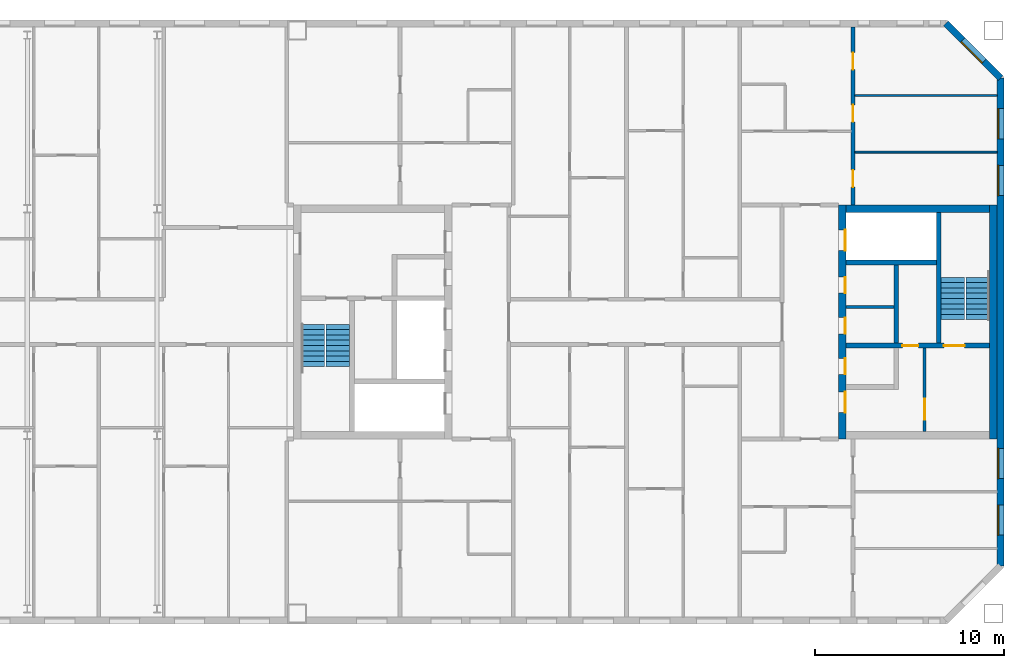
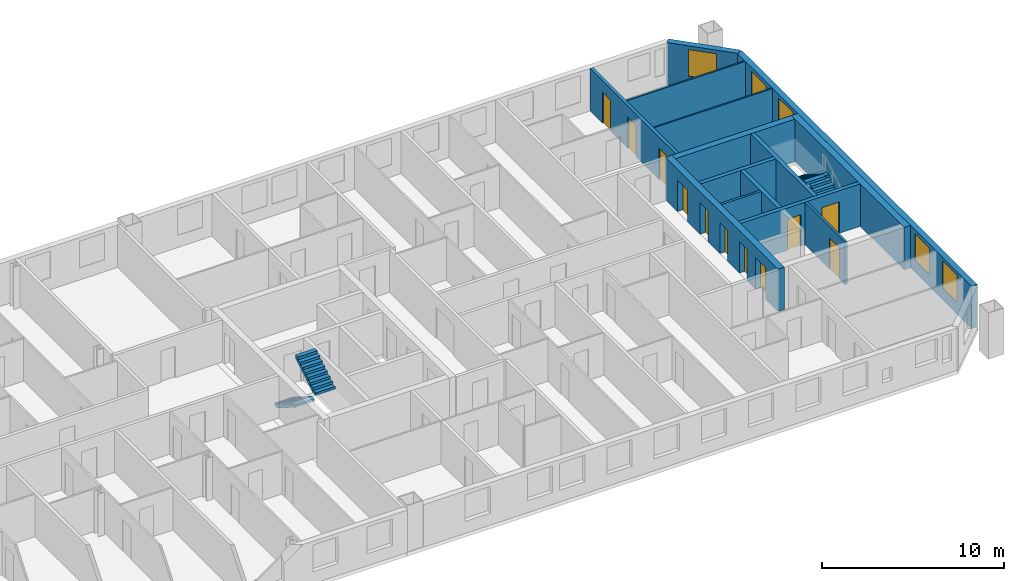
# One storey, part 17 of 19: 14 walls, 11 doors, 5 windows, 4 stair flights, 16 openings, 2 elements without a shape of their own.
"""IFC4 building model written with IfcOpenShell, lengths in metres."""

from ifc_helpers import new_model, si_unit, direction, frame, frame_2d, origin, place, context, subcontext, project, spatial, polyline, rectangle, outline, extrude, material, layer, layer_set, type_object, element, fill, aggregate, save


model = new_model("IFC4")

# Units and contexts
model_context = context("Model", 3, precision=1e-05, world=origin(), true_north=direction((0.0, 1.0)))
body_context = subcontext(model_context, "Body", "Model", "MODEL_VIEW")
ifc_project = project(units=[si_unit("LENGTHUNIT", "METRE"), si_unit("AREAUNIT", "SQUARE_METRE"), si_unit("VOLUMEUNIT", "CUBIC_METRE"), si_unit("PLANEANGLEUNIT", "RADIAN"), si_unit("MASSUNIT", "GRAM", prefix="KILO")], contexts=[model_context])

# Site, building, storey
site_placement = place(None, origin())
site = spatial("IfcSite", under=ifc_project, at=site_placement, CompositionType="ELEMENT")
building_placement = place(site_placement, origin())
building = spatial("IfcBuilding", under=site, at=building_placement, Name="Tuart Gate Housing", CompositionType="ELEMENT")
storey_placement = place(building_placement, frame((0.0, 0.0, 212.10009765625)))
storey = spatial("IfcBuildingStorey", under=building, at=storey_placement, Name="L60", CompositionType="ELEMENT", Elevation=212.10009765625)

# Wall, openings, windows
ifc_material_1 = material(Name="Brick", Category="masonry")
ifc_layer_1 = layer(ifc_material_1, 0.360107421875)
ifc_layer_set_1 = layer_set([ifc_layer_1], Name="Brick pier and spandrel wall 360")
wall_type_1 = type_object("IfcWallType", Name="Brick pier and spandrel wall 360", PredefinedType="STANDARD", material=ifc_layer_set_1)
wall_1_placement = place(storey_placement, frame((168.820068359375, 57.07470703125, 0.0), z_axis=(0.0, 0.0, 1.0), x_axis=(0.0, 1.0, 0.0)))
wall_1 = element("IfcWall", 1, at=wall_1_placement, inside=storey, type_object=wall_type_1, Name="External wall BLK-E L60", PredefinedType="STANDARD", context=body_context, shape_type="SweptSolid", body=[
    extrude(rectangle(XDim=25.850830078125, YDim=0.360107421875, at=frame_2d((12.92529296875, 0.0))), origin(), (0.0, 0.0, 1.0), 2.849853515625),
])
opening_1_placement = place(wall_1_placement, frame((1.62548828125, 0.0, 0.800048828125)))
opening_1 = element("IfcOpeningElement", 2, at=opening_1_placement, cuts=wall_1, Name="Opening W1", PredefinedType="OPENING", context=body_context, shape_type="SweptSolid", body=[
    extrude(rectangle(XDim=1.60009765625, YDim=1.800048828125, at=frame_2d((0.800048828125, 0.89990234375))), frame((0.0, 0.18994140625, 0.0), z_axis=(0.0, -1.0, 0.0), x_axis=(1.0, 0.0, 0.0)), (0.0, 0.0, 1.0), 0.380126953125),
])
opening_2_placement = place(wall_1_placement, frame((4.62548828125, 0.0, 0.800048828125)))
opening_2 = element("IfcOpeningElement", 3, at=opening_2_placement, cuts=wall_1, Name="Opening W1", PredefinedType="OPENING", context=body_context, shape_type="SweptSolid", body=[
    extrude(rectangle(XDim=1.60009765625, YDim=1.800048828125, at=frame_2d((0.800048828125, 0.89990234375))), frame((0.0, 0.18994140625, 0.0), z_axis=(0.0, -1.0, 0.0), x_axis=(1.0, 0.0, 0.0)), (0.0, 0.0, 1.0), 0.380126953125),
])
opening_3_placement = place(wall_1_placement, frame((19.62548828125, 0.0, 0.800048828125)))
opening_3 = element("IfcOpeningElement", 4, at=opening_3_placement, cuts=wall_1, Name="Opening W1", PredefinedType="OPENING", context=body_context, shape_type="SweptSolid", body=[
    extrude(rectangle(XDim=1.60009765625, YDim=1.800048828125, at=frame_2d((0.800048828125, 0.89990234375))), frame((0.0, 0.18994140625, 0.0), z_axis=(0.0, -1.0, 0.0), x_axis=(1.0, 0.0, 0.0)), (0.0, 0.0, 1.0), 0.380126953125),
])
opening_4_placement = place(wall_1_placement, frame((22.62548828125, 0.0, 0.800048828125)))
opening_4 = element("IfcOpeningElement", 5, at=opening_4_placement, cuts=wall_1, Name="Opening W1", PredefinedType="OPENING", context=body_context, shape_type="SweptSolid", body=[
    extrude(rectangle(XDim=1.60009765625, YDim=1.800048828125, at=frame_2d((0.800048828125, 0.89990234375))), frame((0.0, 0.18994140625, 0.0), z_axis=(0.0, -1.0, 0.0), x_axis=(1.0, 0.0, 0.0)), (0.0, 0.0, 1.0), 0.380126953125),
])
ifc_material_2 = material(Name="Aluminium frame with clear glass", Category="aluminium")
window_type = type_object("IfcWindowType", Name="Punched window 1600 x 1800", PartitioningType="SINGLE_PANEL", PredefinedType="WINDOW", material=ifc_material_2)
window_1_placement = place(opening_1_placement, origin())
window_1 = element("IfcWindow", 6, at=window_1_placement, inside=storey, type_object=window_type, Name="Window W1", OverallHeight=1.800048828125, OverallWidth=1.60009765625, PartitioningType="SINGLE_PANEL", PredefinedType="WINDOW", context=body_context, shape_type="SweptSolid", body=[
    extrude(rectangle(XDim=1.60009765625, YDim=1.800048828125, at=frame_2d((0.800048828125, 0.89990234375))), frame((0.0, 0.150146484375, 0.0), z_axis=(0.0, -1.0, 0.0), x_axis=(1.0, 0.0, 0.0)), (0.0, 0.0, 1.0), 0.06005859375),
])
fill(opening_1, window_1)
window_2_placement = place(opening_2_placement, origin())
window_2 = element("IfcWindow", 7, at=window_2_placement, inside=storey, type_object=window_type, Name="Window W1", OverallHeight=1.800048828125, OverallWidth=1.60009765625, PartitioningType="SINGLE_PANEL", PredefinedType="WINDOW", context=body_context, shape_type="SweptSolid", body=[
    extrude(rectangle(XDim=1.60009765625, YDim=1.800048828125, at=frame_2d((0.800048828125, 0.89990234375))), frame((0.0, 0.150146484375, 0.0), z_axis=(0.0, -1.0, 0.0), x_axis=(1.0, 0.0, 0.0)), (0.0, 0.0, 1.0), 0.06005859375),
])
fill(opening_2, window_2)
window_3_placement = place(opening_3_placement, origin())
window_3 = element("IfcWindow", 8, at=window_3_placement, inside=storey, type_object=window_type, Name="Window W1", OverallHeight=1.800048828125, OverallWidth=1.60009765625, PartitioningType="SINGLE_PANEL", PredefinedType="WINDOW", context=body_context, shape_type="SweptSolid", body=[
    extrude(rectangle(XDim=1.60009765625, YDim=1.800048828125, at=frame_2d((0.800048828125, 0.89990234375))), frame((0.0, 0.150146484375, 0.0), z_axis=(0.0, -1.0, 0.0), x_axis=(1.0, 0.0, 0.0)), (0.0, 0.0, 1.0), 0.06005859375),
])
fill(opening_3, window_3)
window_4_placement = place(opening_4_placement, origin())
window_4 = element("IfcWindow", 9, at=window_4_placement, inside=storey, type_object=window_type, Name="Window W1", OverallHeight=1.800048828125, OverallWidth=1.60009765625, PartitioningType="SINGLE_PANEL", PredefinedType="WINDOW", context=body_context, shape_type="SweptSolid", body=[
    extrude(rectangle(XDim=1.60009765625, YDim=1.800048828125, at=frame_2d((0.800048828125, 0.89990234375))), frame((0.0, 0.150146484375, 0.0), z_axis=(0.0, -1.0, 0.0), x_axis=(1.0, 0.0, 0.0)), (0.0, 0.0, 1.0), 0.06005859375),
])
fill(opening_4, window_4)

# Wall, opening, window
wall_2_placement = place(storey_placement, frame((168.820068359375, 82.92529296875, 0.0), z_axis=(0.0, 0.0, 1.0), x_axis=(-0.707106781187, 0.707106781187, 0.0)))
wall_2 = element("IfcWall", 10, at=wall_2_placement, inside=storey, type_object=wall_type_1, Name="External wall BLK-NE L60", PredefinedType="STANDARD", context=body_context, shape_type="SweptSolid", body=[
    extrude(rectangle(XDim=4.09375, YDim=0.360107421875, at=frame_2d((2.046875, 0.0))), origin(), (0.0, 0.0, 1.0), 2.849853515625),
])
opening_5_placement = place(wall_2_placement, frame((1.2470703125, 0.0, 0.800048828125)))
opening_5 = element("IfcOpeningElement", 11, at=opening_5_placement, cuts=wall_2, Name="Opening W1", PredefinedType="OPENING", context=body_context, shape_type="SweptSolid", body=[
    extrude(rectangle(XDim=1.60009765625, YDim=1.800048828125, at=frame_2d((0.800048828125, 0.89990234375))), frame((0.0, 0.18994140625, 0.0), z_axis=(0.0, -1.0, 0.0), x_axis=(1.0, 0.0, 0.0)), (0.0, 0.0, 1.0), 0.380126953125),
])
window_5_placement = place(opening_5_placement, origin())
window_5 = element("IfcWindow", 12, at=window_5_placement, inside=storey, type_object=window_type, Name="Window W1", OverallHeight=1.800048828125, OverallWidth=1.60009765625, PartitioningType="SINGLE_PANEL", PredefinedType="WINDOW", context=body_context, shape_type="SweptSolid", body=[
    extrude(rectangle(XDim=1.60009765625, YDim=1.800048828125, at=frame_2d((0.800048828125, 0.89990234375))), frame((0.0, 0.150146484375, 0.0), z_axis=(0.0, -1.0, 0.0), x_axis=(1.0, 0.0, 0.0)), (0.0, 0.0, 1.0), 0.06005859375),
])
fill(opening_5, window_5)

# Wall
ifc_material_3 = material(Name="Plasterboard partition")
ifc_layer_2 = layer(ifc_material_3, 0.14990234375)
ifc_layer_set_2 = layer_set([ifc_layer_2], Name="Core partition 150")
wall_type_2 = type_object("IfcWallType", Name="Core partition 150", PredefinedType="PARTITIONING", material=ifc_layer_set_2)
wall_3_placement = place(storey_placement, frame((160.639892578125, 70.800048828125, 0.0), z_axis=(0.0, 0.0, 1.0), x_axis=(1.0, 0.0, 0.0)))
element("IfcWall", 13, at=wall_3_placement, inside=storey, type_object=wall_type_2, Name="Core partition BK.2", PredefinedType="PARTITIONING", context=body_context, shape_type="SweptSolid", body=[
    extrude(rectangle(XDim=2.525146484375, YDim=0.14990234375, at=frame_2d((1.2626953125, 0.0))), origin(), (0.0, 0.0, 1.0), 2.849853515625),
])

# Wall, opening, door
wall_4_placement = place(storey_placement, frame((164.7900390625, 68.625, 0.0), z_axis=(0.0, 0.0, 1.0), x_axis=(0.0, -1.0, 0.0)))
wall_4 = element("IfcWall", 14, at=wall_4_placement, inside=storey, type_object=wall_type_2, Name="Core partition BK.7", PredefinedType="PARTITIONING", context=body_context, shape_type="SweptSolid", body=[
    extrude(rectangle(XDim=4.425048828125, YDim=0.14990234375, at=frame_2d((2.21240234375, 0.0))), origin(), (0.0, 0.0, 1.0), 2.849853515625),
])
opening_6_placement = place(wall_4_placement, frame((2.699951171875, 0.0, 0.0)))
opening_6 = element("IfcOpeningElement", 15, at=opening_6_placement, cuts=wall_4, Name="Opening D2258", PredefinedType="OPENING", context=body_context, shape_type="SweptSolid", body=[
    extrude(rectangle(XDim=1.10009765625, YDim=2.10009765625, at=frame_2d((0.550048828125, 1.050048828125))), frame((0.0, 0.0849609375, 0.0), z_axis=(0.0, -1.0, 0.0), x_axis=(1.0, 0.0, 0.0)), (0.0, 0.0, 1.0), 0.169921875),
])
ifc_material_4 = material(Name="Steel fire door", Category="steel")
door_type_1 = type_object("IfcDoorType", Name="Lobby door 1100 x 2100 RH", OperationType="SINGLE_SWING_RIGHT", PredefinedType="DOOR", material=ifc_material_4)
door_1_placement = place(opening_6_placement, origin())
door_1 = element("IfcDoor", 16, at=door_1_placement, inside=storey, type_object=door_type_1, Name="Smoke lobby door BK.KD", OperationType="SINGLE_SWING_RIGHT", OverallHeight=2.10009765625, OverallWidth=1.10009765625, PredefinedType="DOOR", context=body_context, shape_type="SweptSolid", body=[
    extrude(rectangle(XDim=1.10009765625, YDim=2.10009765625, at=frame_2d((0.550048828125, 1.050048828125))), frame((0.0, 0.02490234375, 0.0), z_axis=(0.0, -1.0, 0.0), x_axis=(1.0, 0.0, 0.0)), (0.0, 0.0, 1.0), 0.050048828125),
])
fill(opening_6, door_1)

# Wall
ifc_material_5 = material(Name="Concrete C40", Category="concrete")
ifc_layer_3 = layer(ifc_material_5, 0.25)
ifc_layer_set_3 = layer_set([ifc_layer_3], Name="Core wall 250 C40")
wall_type_3 = type_object("IfcWallType", Name="Core wall 250 C40", PredefinedType="SHEAR", material=ifc_layer_set_3)
wall_5_placement = place(storey_placement, frame((160.639892578125, 73.14990234375, 0.0), z_axis=(0.0, 0.0, 1.0), x_axis=(1.0, 0.0, 0.0)))
element("IfcWall", 17, at=wall_5_placement, inside=storey, type_object=wall_type_3, Name="Core wall BK.1", PredefinedType="SHEAR", context=body_context, shape_type="SweptSolid", body=[
    extrude(rectangle(XDim=4.775146484375, YDim=0.25, at=frame_2d((2.3876953125, 0.0))), origin(), (0.0, 0.0, 1.0), 2.849853515625),
])

# Wall, openings, doors
wall_6_placement = place(storey_placement, frame((160.639892578125, 68.75, 0.0), z_axis=(0.0, 0.0, 1.0), x_axis=(1.0, 0.0, 0.0)))
wall_6 = element("IfcWall", 18, at=wall_6_placement, inside=storey, type_object=wall_type_3, Name="Core wall BK.3", PredefinedType="SHEAR", context=body_context, shape_type="SweptSolid", body=[
    extrude(rectangle(XDim=7.60009765625, YDim=0.25, at=frame_2d((3.800048828125, 0.0))), origin(), (0.0, 0.0, 1.0), 2.849853515625),
])
opening_7_placement = place(wall_6_placement, frame((5.175048828125, 0.0, 0.0)))
opening_7 = element("IfcOpeningElement", 19, at=opening_7_placement, cuts=wall_6, Name="Opening D2257", PredefinedType="OPENING", context=body_context, shape_type="SweptSolid", body=[
    extrude(rectangle(XDim=1.10009765625, YDim=2.10009765625, at=frame_2d((0.550048828125, 1.050048828125))), frame((0.0, 0.135009765625, 0.0), z_axis=(0.0, -1.0, 0.0), x_axis=(1.0, 0.0, 0.0)), (0.0, 0.0, 1.0), 0.27001953125),
])
opening_8_placement = place(wall_6_placement, frame((2.97509765625, 0.0, 0.0)))
opening_8 = element("IfcOpeningElement", 20, at=opening_8_placement, cuts=wall_6, Name="Opening D2256", PredefinedType="OPENING", context=body_context, shape_type="SweptSolid", body=[
    extrude(rectangle(XDim=0.85009765625, YDim=2.10009765625, at=frame_2d((0.425048828125, 1.050048828125))), frame((0.0, 0.135009765625, 0.0), z_axis=(0.0, -1.0, 0.0), x_axis=(1.0, 0.0, 0.0)), (0.0, 0.0, 1.0), 0.27001953125),
])
ifc_material_6 = material(Name="Steel fire door", Category="steel")
door_type_2 = type_object("IfcDoorType", Name="Riser door 850 x 2100", OperationType="SINGLE_SWING_LEFT", PredefinedType="DOOR", material=ifc_material_6)
door_2_placement = place(opening_8_placement, origin())
door_2 = element("IfcDoor", 21, at=door_2_placement, inside=storey, type_object=door_type_2, Name="Service room door BK.W1", OperationType="SINGLE_SWING_LEFT", OverallHeight=2.10009765625, OverallWidth=0.85009765625, PredefinedType="DOOR", context=body_context, shape_type="SweptSolid", body=[
    extrude(rectangle(XDim=0.85009765625, YDim=2.10009765625, at=frame_2d((0.425048828125, 1.050048828125))), frame((0.0, 0.02490234375, 0.0), z_axis=(0.0, -1.0, 0.0), x_axis=(1.0, 0.0, 0.0)), (0.0, 0.0, 1.0), 0.050048828125),
])
fill(opening_8, door_2)
ifc_material_7 = material(Name="Steel fire door", Category="steel")
door_type_3 = type_object("IfcDoorType", Name="Stair door 1100 x 2100", OperationType="SINGLE_SWING_LEFT", PredefinedType="DOOR", material=ifc_material_7)
door_3_placement = place(opening_7_placement, origin())
door_3 = element("IfcDoor", 22, at=door_3_placement, inside=storey, type_object=door_type_3, Name="Stair door BK.SD", OperationType="SINGLE_SWING_LEFT", OverallHeight=2.10009765625, OverallWidth=1.10009765625, PredefinedType="DOOR", context=body_context, shape_type="SweptSolid", body=[
    extrude(rectangle(XDim=1.10009765625, YDim=2.10009765625, at=frame_2d((0.550048828125, 1.050048828125))), frame((0.0, 0.02490234375, 0.0), z_axis=(0.0, -1.0, 0.0), x_axis=(1.0, 0.0, 0.0)), (0.0, 0.0, 1.0), 0.050048828125),
])
fill(opening_7, door_3)

# Walls
wall_7_placement = place(storey_placement, frame((163.2900390625, 73.02490234375, 0.0), z_axis=(0.0, 0.0, 1.0), x_axis=(0.0, -1.0, 0.0)))
element("IfcWall", 23, at=wall_7_placement, inside=storey, type_object=wall_type_3, Name="Core wall BK.5", PredefinedType="SHEAR", context=body_context, shape_type="SweptSolid", body=[
    extrude(rectangle(XDim=4.14990234375, YDim=0.25, at=frame_2d((2.074951171875, 0.0))), origin(), (0.0, 0.0, 1.0), 2.849853515625),
])
wall_8_placement = place(storey_placement, frame((165.5400390625, 75.800048828125, 0.0), z_axis=(0.0, 0.0, 1.0), x_axis=(0.0, -1.0, 0.0)))
element("IfcWall", 24, at=wall_8_placement, inside=storey, type_object=wall_type_3, Name="Core wall BK.8", PredefinedType="SHEAR", context=body_context, shape_type="SweptSolid", body=[
    extrude(rectangle(XDim=6.925048828125, YDim=0.25, at=frame_2d((3.46240234375, 0.0))), origin(), (0.0, 0.0, 1.0), 2.849853515625),
])

# Wall, openings, doors
ifc_material_8 = material(Name="Concrete C40", Category="concrete")
ifc_layer_4 = layer(ifc_material_8, 0.39990234375)
ifc_layer_set_4 = layer_set([ifc_layer_4], Name="Core wall 400 C40")
wall_type_4 = type_object("IfcWallType", Name="Core wall 400 C40", PredefinedType="SHEAR", material=ifc_layer_set_4)
wall_9_placement = place(storey_placement, frame((160.43994140625, 76.199951171875, 0.0), z_axis=(0.0, 0.0, 1.0), x_axis=(0.0, -1.0, 0.0)))
wall_9 = element("IfcWall", 25, at=wall_9_placement, inside=storey, type_object=wall_type_4, Name="Core wall BK front", PredefinedType="SHEAR", context=body_context, shape_type="SweptSolid", body=[
    extrude(rectangle(XDim=12.39990234375, YDim=0.39990234375, at=frame_2d((6.199951171875, 0.0))), origin(), (0.0, 0.0, 1.0), 2.849853515625),
])
opening_9_placement = place(wall_9_placement, frame((1.324951171875, 0.0, 0.0)))
opening_9 = element("IfcOpeningElement", 26, at=opening_9_placement, cuts=wall_9, Name="Opening LD-FB2", PredefinedType="OPENING", context=body_context, shape_type="SweptSolid", body=[
    extrude(rectangle(XDim=1.10009765625, YDim=2.10009765625, at=frame_2d((0.550048828125, 1.050048828125))), frame((0.0, 0.2099609375, 0.0), z_axis=(0.0, -1.0, 0.0), x_axis=(1.0, 0.0, 0.0)), (0.0, 0.0, 1.0), 0.419921875),
])
opening_10_placement = place(wall_9_placement, frame((3.824951171875, 0.0, 0.0)))
opening_10 = element("IfcOpeningElement", 27, at=opening_10_placement, cuts=wall_9, Name="Opening D2251", PredefinedType="OPENING", context=body_context, shape_type="SweptSolid", body=[
    extrude(rectangle(XDim=0.85009765625, YDim=2.10009765625, at=frame_2d((0.425048828125, 1.050048828125))), frame((0.0, 0.2099609375, 0.0), z_axis=(0.0, -1.0, 0.0), x_axis=(1.0, 0.0, 0.0)), (0.0, 0.0, 1.0), 0.419921875),
])
opening_11_placement = place(wall_9_placement, frame((5.97509765625, 0.0, 0.0)))
opening_11 = element("IfcOpeningElement", 28, at=opening_11_placement, cuts=wall_9, Name="Opening D2252", PredefinedType="OPENING", context=body_context, shape_type="SweptSolid", body=[
    extrude(rectangle(XDim=0.85009765625, YDim=2.10009765625, at=frame_2d((0.425048828125, 1.050048828125))), frame((0.0, 0.2099609375, 0.0), z_axis=(0.0, -1.0, 0.0), x_axis=(1.0, 0.0, 0.0)), (0.0, 0.0, 1.0), 0.419921875),
])
opening_12_placement = place(wall_9_placement, frame((9.89990234375, 0.0, 0.0)))
opening_12 = element("IfcOpeningElement", 29, at=opening_12_placement, cuts=wall_9, Name="Opening D2250", PredefinedType="OPENING", context=body_context, shape_type="SweptSolid", body=[
    extrude(rectangle(XDim=1.10009765625, YDim=2.10009765625, at=frame_2d((0.550048828125, 1.050048828125))), frame((0.0, 0.2099609375, 0.0), z_axis=(0.0, -1.0, 0.0), x_axis=(1.0, 0.0, 0.0)), (0.0, 0.0, 1.0), 0.419921875),
])
opening_13_placement = place(wall_9_placement, frame((8.125, 0.0, 0.0)))
opening_13 = element("IfcOpeningElement", 30, at=opening_13_placement, cuts=wall_9, Name="Opening D2253", PredefinedType="OPENING", context=body_context, shape_type="SweptSolid", body=[
    extrude(rectangle(XDim=0.85009765625, YDim=2.10009765625, at=frame_2d((0.425048828125, 1.050048828125))), frame((0.0, 0.2099609375, 0.0), z_axis=(0.0, -1.0, 0.0), x_axis=(1.0, 0.0, 0.0)), (0.0, 0.0, 1.0), 0.419921875),
])
ifc_material_9 = material(Name="Stainless steel", Category="steel")
door_type_4 = type_object("IfcDoorType", Name="Landing door 1100 x 2100", OperationType="DOUBLE_DOOR_SLIDING", PredefinedType="DOOR", material=ifc_material_9)
door_4_placement = place(opening_9_placement, origin())
door_4 = element("IfcDoor", 31, at=door_4_placement, inside=storey, type_object=door_type_4, Name="Lift landing door FB2", OperationType="DOUBLE_DOOR_SLIDING", OverallHeight=2.10009765625, OverallWidth=1.10009765625, PredefinedType="DOOR", context=body_context, shape_type="SweptSolid", body=[
    extrude(rectangle(XDim=1.10009765625, YDim=2.10009765625, at=frame_2d((0.550048828125, 1.050048828125))), frame((0.0, 0.18505859375, 0.0), z_axis=(0.0, -1.0, 0.0), x_axis=(1.0, 0.0, 0.0)), (0.0, 0.0, 1.0), 0.050048828125),
])
fill(opening_9, door_4)
ifc_material_10 = material(Name="Steel fire door", Category="steel")
door_type_5 = type_object("IfcDoorType", Name="Lobby door 1100 x 2100", OperationType="SINGLE_SWING_LEFT", PredefinedType="DOOR", material=ifc_material_10)
door_5_placement = place(opening_12_placement, origin())
door_5 = element("IfcDoor", 32, at=door_5_placement, inside=storey, type_object=door_type_5, Name="Lobby entry door BK.EN", OperationType="SINGLE_SWING_LEFT", OverallHeight=2.10009765625, OverallWidth=1.10009765625, PredefinedType="DOOR", context=body_context, shape_type="SweptSolid", body=[
    extrude(rectangle(XDim=1.10009765625, YDim=2.10009765625, at=frame_2d((0.550048828125, 1.050048828125))), frame((0.0, 0.18505859375, 0.0), z_axis=(0.0, -1.0, 0.0), x_axis=(1.0, 0.0, 0.0)), (0.0, 0.0, 1.0), 0.050048828125),
])
fill(opening_12, door_5)
ifc_material_11 = material(Name="Steel fire door", Category="steel")
door_type_6 = type_object("IfcDoorType", Name="Service door 850 x 2100", OperationType="SINGLE_SWING_LEFT", PredefinedType="DOOR", material=ifc_material_11)
door_6_placement = place(opening_10_placement, origin())
door_6 = element("IfcDoor", 33, at=door_6_placement, inside=storey, type_object=door_type_6, Name="Service room door BK.FR1", OperationType="SINGLE_SWING_LEFT", OverallHeight=2.10009765625, OverallWidth=0.85009765625, PredefinedType="DOOR", context=body_context, shape_type="SweptSolid", body=[
    extrude(rectangle(XDim=0.85009765625, YDim=2.10009765625, at=frame_2d((0.425048828125, 1.050048828125))), frame((0.0, 0.18505859375, 0.0), z_axis=(0.0, -1.0, 0.0), x_axis=(1.0, 0.0, 0.0)), (0.0, 0.0, 1.0), 0.050048828125),
])
fill(opening_10, door_6)
door_7_placement = place(opening_11_placement, origin())
door_7 = element("IfcDoor", 34, at=door_7_placement, inside=storey, type_object=door_type_6, Name="Service room door BK.FR2", OperationType="SINGLE_SWING_LEFT", OverallHeight=2.10009765625, OverallWidth=0.85009765625, PredefinedType="DOOR", context=body_context, shape_type="SweptSolid", body=[
    extrude(rectangle(XDim=0.85009765625, YDim=2.10009765625, at=frame_2d((0.425048828125, 1.050048828125))), frame((0.0, 0.18505859375, 0.0), z_axis=(0.0, -1.0, 0.0), x_axis=(1.0, 0.0, 0.0)), (0.0, 0.0, 1.0), 0.050048828125),
])
fill(opening_11, door_7)
door_8_placement = place(opening_13_placement, origin())
door_8 = element("IfcDoor", 35, at=door_8_placement, inside=storey, type_object=door_type_6, Name="Service room door BK.T1", OperationType="SINGLE_SWING_LEFT", OverallHeight=2.10009765625, OverallWidth=0.85009765625, PredefinedType="DOOR", context=body_context, shape_type="SweptSolid", body=[
    extrude(rectangle(XDim=0.85009765625, YDim=2.10009765625, at=frame_2d((0.425048828125, 1.050048828125))), frame((0.0, 0.18505859375, 0.0), z_axis=(0.0, -1.0, 0.0), x_axis=(1.0, 0.0, 0.0)), (0.0, 0.0, 1.0), 0.050048828125),
])
fill(opening_13, door_8)

# Walls
wall_10_placement = place(storey_placement, frame((168.43994140625, 76.199951171875, 0.0), z_axis=(0.0, 0.0, 1.0), x_axis=(0.0, -1.0, 0.0)))
element("IfcWall", 36, at=wall_10_placement, inside=storey, type_object=wall_type_4, Name="Core wall BK back", PredefinedType="SHEAR", context=body_context, shape_type="SweptSolid", body=[
    extrude(rectangle(XDim=12.39990234375, YDim=0.39990234375, at=frame_2d((6.199951171875, 0.0))), origin(), (0.0, 0.0, 1.0), 2.849853515625),
])
wall_11_placement = place(storey_placement, frame((160.639892578125, 76.0, 0.0), z_axis=(0.0, 0.0, 1.0), x_axis=(1.0, 0.0, 0.0)))
element("IfcWall", 37, at=wall_11_placement, inside=storey, type_object=wall_type_4, Name="Core wall BK south", PredefinedType="SHEAR", context=body_context, shape_type="SweptSolid", body=[
    extrude(rectangle(XDim=7.60009765625, YDim=0.39990234375, at=frame_2d((3.800048828125, 0.0))), origin(), (0.0, 0.0, 1.0), 2.849853515625),
])
ifc_material_12 = material(Name="Gypsum board on steel studs", Category="steel")
ifc_layer_5 = layer(ifc_material_12, 0.10009765625)
ifc_layer_set_5 = layer_set([ifc_layer_5], Name="Partition 100")
wall_type_5 = type_object("IfcWallType", Name="Partition 100", PredefinedType="PARTITIONING", material=ifc_layer_set_5)
for number, where, z_axis, x_axis, name in (
    (38, (161.10009765625, 79.0, 0.0), (0.0, 0.0, 1.0), (1.0, 0.0, 0.0), "Partition 100"),
    (39, (161.10009765625, 82.0, 0.0), (0.0, 0.0, 1.0), (1.0, 0.0, 0.0), "Partition 100"),
):
    element("IfcWall", number, at=place(storey_placement, frame(where, z_axis=z_axis, x_axis=x_axis)), inside=storey, type_object=wall_type_5, Name=name, PredefinedType="PARTITIONING", context=body_context, shape_type="SweptSolid", body=[
        extrude(rectangle(XDim=7.539794921875, YDim=0.10009765625, at=frame_2d((3.77001953125, 0.0))), origin(), (0.0, 0.0, 1.0), 2.849853515625),
    ])

# Wall, openings, doors
ifc_material_13 = material(Name="Concrete C40", Category="concrete")
ifc_layer_6 = layer(ifc_material_13, 0.199951171875)
ifc_layer_set_6 = layer_set([ifc_layer_6], Name="Party wall concrete C40 200")
wall_type_6 = type_object("IfcWallType", Name="Party wall concrete C40 200", PredefinedType="SOLIDWALL", material=ifc_layer_set_6)
wall_12_placement = place(storey_placement, frame((161.0, 76.199951171875, 0.0), z_axis=(0.0, 0.0, 1.0), x_axis=(0.0, 1.0, 0.0)))
wall_12 = element("IfcWall", 40, at=wall_12_placement, inside=storey, type_object=wall_type_6, Name="Party wall concrete C40 200", PredefinedType="SOLIDWALL", context=body_context, shape_type="SweptSolid", body=[
    extrude(rectangle(XDim=9.43994140625, YDim=0.199951171875, at=frame_2d((4.719970703125, 0.0))), origin(), (0.0, 0.0, 1.0), 2.849853515625),
])
opening_14_placement = place(wall_12_placement, frame((7.169921875, 0.0, 0.0)))
opening_14 = element("IfcOpeningElement", 41, at=opening_14_placement, cuts=wall_12, Name="Opening D2226", PredefinedType="OPENING", context=body_context, shape_type="SweptSolid", body=[
    extrude(rectangle(XDim=0.89990234375, YDim=2.10009765625, at=frame_2d((0.449951171875, 1.050048828125))), frame((0.0, 0.10986328125, 0.0), z_axis=(0.0, -1.0, 0.0), x_axis=(1.0, 0.0, 0.0)), (0.0, 0.0, 1.0), 0.219970703125),
])
opening_15_placement = place(wall_12_placement, frame((4.39990234375, 0.0, 0.0)))
opening_15 = element("IfcOpeningElement", 42, at=opening_15_placement, cuts=wall_12, Name="Opening D2227", PredefinedType="OPENING", context=body_context, shape_type="SweptSolid", body=[
    extrude(rectangle(XDim=0.89990234375, YDim=2.10009765625, at=frame_2d((0.449951171875, 1.050048828125))), frame((0.0, 0.10986328125, 0.0), z_axis=(0.0, -1.0, 0.0), x_axis=(1.0, 0.0, 0.0)), (0.0, 0.0, 1.0), 0.219970703125),
])
opening_16_placement = place(wall_12_placement, frame((0.949951171875, 0.0, 0.0)))
opening_16 = element("IfcOpeningElement", 43, at=opening_16_placement, cuts=wall_12, Name="Opening D2228", PredefinedType="OPENING", context=body_context, shape_type="SweptSolid", body=[
    extrude(rectangle(XDim=0.89990234375, YDim=2.10009765625, at=frame_2d((0.449951171875, 1.050048828125))), frame((0.0, 0.10986328125, 0.0), z_axis=(0.0, -1.0, 0.0), x_axis=(1.0, 0.0, 0.0)), (0.0, 0.0, 1.0), 0.219970703125),
])
ifc_material_14 = material(Name="Timber door leaf in steel frame", Category="steel")
door_type_7 = type_object("IfcDoorType", Name="Internal door 900", OperationType="SINGLE_SWING_LEFT", PredefinedType="DOOR", material=ifc_material_14)
door_9_placement = place(opening_15_placement, frame((0.89990234375, 0.0, 0.0), z_axis=(0.0, 0.0, 1.0), x_axis=(-1.0, 0.0, 0.0)))
door_9 = element("IfcDoor", 44, at=door_9_placement, inside=storey, type_object=door_type_7, Name="Internal door", OperationType="SINGLE_SWING_LEFT", OverallHeight=2.10009765625, OverallWidth=0.89990234375, PredefinedType="DOOR", context=body_context, shape_type="SweptSolid", body=[
    extrude(rectangle(XDim=0.89990234375, YDim=2.10009765625, at=frame_2d((0.449951171875, 1.050048828125))), frame((0.0, 0.025146484375, 0.0), z_axis=(0.0, -1.0, 0.0), x_axis=(1.0, 0.0, 0.0)), (0.0, 0.0, 1.0), 0.050048828125),
])
fill(opening_15, door_9)
ifc_material_15 = material(Name="Timber door leaf in steel frame", Category="steel")
door_type_8 = type_object("IfcDoorType", Name="Internal door 900 RH", OperationType="SINGLE_SWING_RIGHT", PredefinedType="DOOR", material=ifc_material_15)
door_10_placement = place(opening_14_placement, frame((0.89990234375, 0.0, 0.0), z_axis=(0.0, 0.0, 1.0), x_axis=(-1.0, 0.0, 0.0)))
door_10 = element("IfcDoor", 45, at=door_10_placement, inside=storey, type_object=door_type_8, Name="Internal door", OperationType="SINGLE_SWING_RIGHT", OverallHeight=2.10009765625, OverallWidth=0.89990234375, PredefinedType="DOOR", context=body_context, shape_type="SweptSolid", body=[
    extrude(rectangle(XDim=0.89990234375, YDim=2.10009765625, at=frame_2d((0.449951171875, 1.050048828125))), frame((0.0, 0.025146484375, 0.0), z_axis=(0.0, -1.0, 0.0), x_axis=(1.0, 0.0, 0.0)), (0.0, 0.0, 1.0), 0.050048828125),
])
fill(opening_14, door_10)
door_11_placement = place(opening_16_placement, frame((0.89990234375, 0.0, 0.0), z_axis=(0.0, 0.0, 1.0), x_axis=(-1.0, 0.0, 0.0)))
door_11 = element("IfcDoor", 46, at=door_11_placement, inside=storey, type_object=door_type_8, Name="Internal door", OperationType="SINGLE_SWING_RIGHT", OverallHeight=2.10009765625, OverallWidth=0.89990234375, PredefinedType="DOOR", context=body_context, shape_type="SweptSolid", body=[
    extrude(rectangle(XDim=0.89990234375, YDim=2.10009765625, at=frame_2d((0.449951171875, 1.050048828125))), frame((0.0, 0.025146484375, 0.0), z_axis=(0.0, -1.0, 0.0), x_axis=(1.0, 0.0, 0.0)), (0.0, 0.0, 1.0), 0.050048828125),
])
fill(opening_16, door_11)

# Stair, stair flights
ifc_material_16 = material(Name="Concrete C40", Category="concrete")
stair_type = type_object("IfcStairType", Name="Core stair 1250", PredefinedType="HALF_TURN_STAIR", material=ifc_material_16)
stair_1_placement = place(storey_placement, origin())
stair_1 = element("IfcStair", 47, at=stair_1_placement, inside=storey, type_object=stair_type, Name="Stair SB1", PredefinedType="HALF_TURN_STAIR")
ifc_material_17 = material(Name="Concrete C40", Category="concrete")
stair_flight_type = type_object("IfcStairFlightType", Name="Stair flight 1250, 9 risers 172 x 280", PredefinedType="STRAIGHT", material=ifc_material_17)
stair_flight_1_placement = place(storey_placement, frame((132.385009765625, 69.875, 0.0), z_axis=(0.0, 0.0, 1.0), x_axis=(0.0, -1.0, 0.0)))
stair_flight_1 = element("IfcStairFlight", 48, at=stair_flight_1_placement, type_object=stair_flight_type, Name="SB1 flight 1", NumberOfRisers=9, NumberOfTreads=8, PredefinedType="STRAIGHT", RiserHeight=0.172222222, TreadLength=0.28, context=body_context, shape_type="SweptSolid", body=[
    extrude(outline(polyline([(0.0, 0.0), (0.0, 0.172119140625), (0.280029296875, 0.172119140625), (0.280029296875, 0.344482421875), (0.56005859375, 0.344482421875), (0.56005859375, 0.5166015625), (0.840087890625, 0.5166015625), (0.840087890625, 0.68896484375), (1.1201171875, 0.68896484375), (1.1201171875, 0.861083984375), (1.39990234375, 0.861083984375), (1.39990234375, 1.033447265625), (1.679931640625, 1.033447265625), (1.679931640625, 1.20556640625), (1.9599609375, 1.20556640625), (1.9599609375, 1.377685546875), (2.239990234375, 1.377685546875), (2.239990234375, 1.550048828125), (2.239990234375, 1.201904296875), (0.2861328125, 0.0), (0.0, 0.0)])), frame((0.0, 0.625, 0.0), z_axis=(0.0, -1.0, 0.0), x_axis=(1.0, 0.0, 0.0)), (0.0, 0.0, 1.0), 1.25),
])
stair_flight_2_placement = place(storey_placement, frame((133.7099609375, 67.635009765625, 1.5498046875), z_axis=(0.0, 0.0, 1.0), x_axis=(0.0, 1.0, 0.0)))
stair_flight_2 = element("IfcStairFlight", 49, at=stair_flight_2_placement, type_object=stair_flight_type, Name="SB1 flight 2", NumberOfRisers=9, NumberOfTreads=8, PredefinedType="STRAIGHT", RiserHeight=0.172222222, TreadLength=0.28, context=body_context, shape_type="SweptSolid", body=[
    extrude(outline(polyline([(0.0, 0.0), (0.0, 0.172119140625), (0.280029296875, 0.172119140625), (0.280029296875, 0.344482421875), (0.56005859375, 0.344482421875), (0.56005859375, 0.5166015625), (0.840087890625, 0.5166015625), (0.840087890625, 0.68896484375), (1.1201171875, 0.68896484375), (1.1201171875, 0.861083984375), (1.39990234375, 0.861083984375), (1.39990234375, 1.033447265625), (1.679931640625, 1.033447265625), (1.679931640625, 1.20556640625), (1.9599609375, 1.20556640625), (1.9599609375, 1.377685546875), (2.239990234375, 1.377685546875), (2.239990234375, 1.550048828125), (2.239990234375, 1.201904296875), (0.2861328125, 0.0), (0.0, 0.0)])), frame((0.0, 0.625, 0.0), z_axis=(0.0, -1.0, 0.0), x_axis=(1.0, 0.0, 0.0)), (0.0, 0.0, 1.0), 1.25),
])
aggregate(stair_1, [stair_flight_1, stair_flight_2])

stair_2_placement = place(storey_placement, origin())
stair_2 = element("IfcStair", 50, at=stair_2_placement, inside=storey, type_object=stair_type, Name="Stair SB2", PredefinedType="HALF_TURN_STAIR")
stair_flight_3_placement = place(storey_placement, frame((167.614990234375, 70.125, 0.0), z_axis=(0.0, 0.0, 1.0), x_axis=(0.0, 1.0, 0.0)))
stair_flight_3 = element("IfcStairFlight", 51, at=stair_flight_3_placement, type_object=stair_flight_type, Name="SB2 flight 1", NumberOfRisers=9, NumberOfTreads=8, PredefinedType="STRAIGHT", RiserHeight=0.172222222, TreadLength=0.28, context=body_context, shape_type="SweptSolid", body=[
    extrude(outline(polyline([(0.0, 0.0), (0.0, 0.172119140625), (0.280029296875, 0.172119140625), (0.280029296875, 0.344482421875), (0.56005859375, 0.344482421875), (0.56005859375, 0.5166015625), (0.840087890625, 0.5166015625), (0.840087890625, 0.68896484375), (1.1201171875, 0.68896484375), (1.1201171875, 0.861083984375), (1.39990234375, 0.861083984375), (1.39990234375, 1.033447265625), (1.679931640625, 1.033447265625), (1.679931640625, 1.20556640625), (1.9599609375, 1.20556640625), (1.9599609375, 1.377685546875), (2.239990234375, 1.377685546875), (2.239990234375, 1.550048828125), (2.239990234375, 1.201904296875), (0.2861328125, 0.0), (0.0, 0.0)])), frame((0.0, 0.625, 0.0), z_axis=(0.0, -1.0, 0.0), x_axis=(1.0, 0.0, 0.0)), (0.0, 0.0, 1.0), 1.25),
])
stair_flight_4_placement = place(storey_placement, frame((166.2900390625, 72.364990234375, 1.5498046875), z_axis=(0.0, 0.0, 1.0), x_axis=(0.0, -1.0, 0.0)))
stair_flight_4 = element("IfcStairFlight", 52, at=stair_flight_4_placement, type_object=stair_flight_type, Name="SB2 flight 2", NumberOfRisers=9, NumberOfTreads=8, PredefinedType="STRAIGHT", RiserHeight=0.172222222, TreadLength=0.28, context=body_context, shape_type="SweptSolid", body=[
    extrude(outline(polyline([(0.0, 0.0), (0.0, 0.172119140625), (0.280029296875, 0.172119140625), (0.280029296875, 0.344482421875), (0.56005859375, 0.344482421875), (0.56005859375, 0.5166015625), (0.840087890625, 0.5166015625), (0.840087890625, 0.68896484375), (1.1201171875, 0.68896484375), (1.1201171875, 0.861083984375), (1.39990234375, 0.861083984375), (1.39990234375, 1.033447265625), (1.679931640625, 1.033447265625), (1.679931640625, 1.20556640625), (1.9599609375, 1.20556640625), (1.9599609375, 1.377685546875), (2.239990234375, 1.377685546875), (2.239990234375, 1.550048828125), (2.239990234375, 1.201904296875), (0.2861328125, 0.0), (0.0, 0.0)])), frame((0.0, 0.625, 0.0), z_axis=(0.0, -1.0, 0.0), x_axis=(1.0, 0.0, 0.0)), (0.0, 0.0, 1.0), 1.25),
])
aggregate(stair_2, [stair_flight_3, stair_flight_4])

save(model, "model.ifc")
